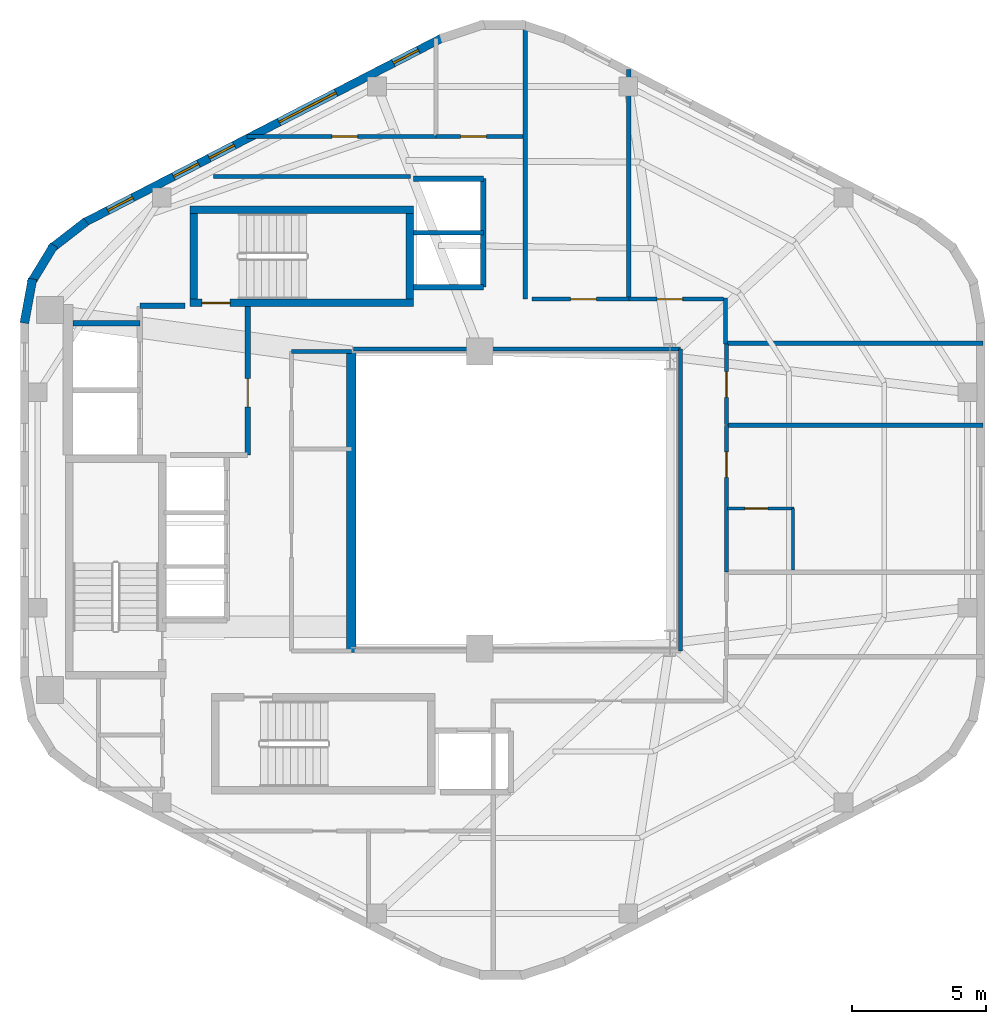
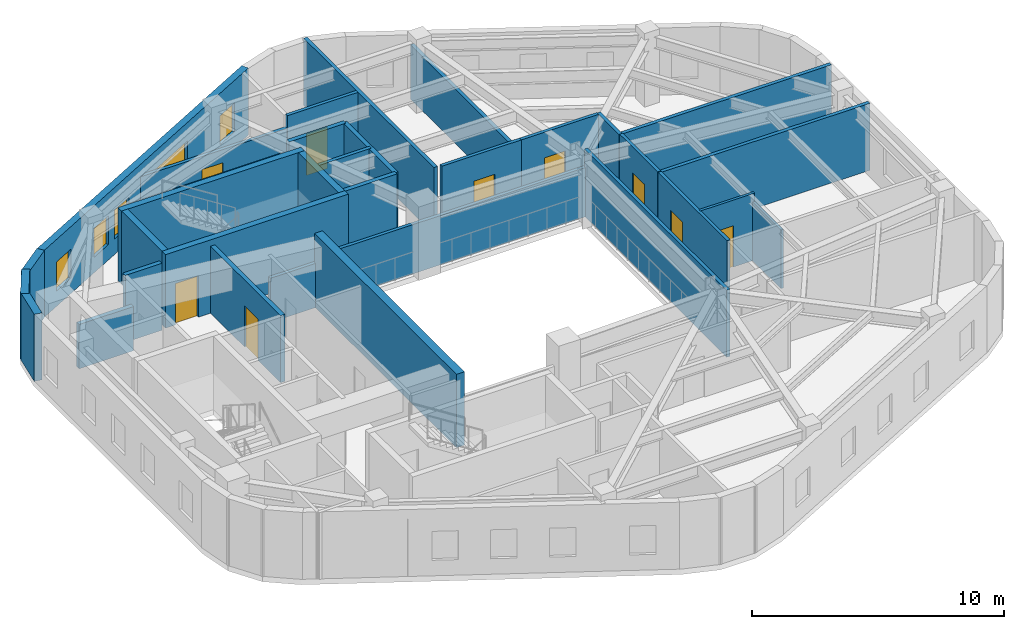
# One storey, part 4 of 6: 33 walls, 9 doors, 5 windows, 14 openings.
"""IFC4 building model written with IfcOpenShell, lengths in metres."""

from ifc_helpers import new_model, si_unit, direction, frame, frame_2d, origin, place, context, subcontext, project, spatial, rectangle, extrude, material, layer, layer_set, type_object, element, fill, save


model = new_model("IFC4")

# Units and contexts
model_context = context("Model", 3, precision=1e-05, world=origin(), true_north=direction((0.0, 1.0)))
body_context = subcontext(model_context, "Body", "Model", "MODEL_VIEW")
ifc_project = project(units=[si_unit("LENGTHUNIT", "METRE"), si_unit("AREAUNIT", "SQUARE_METRE"), si_unit("VOLUMEUNIT", "CUBIC_METRE"), si_unit("PLANEANGLEUNIT", "RADIAN"), si_unit("MASSUNIT", "GRAM", prefix="KILO"), si_unit("THERMODYNAMICTEMPERATUREUNIT", "KELVIN"), si_unit("POWERUNIT", "WATT")], contexts=[model_context])

# Site, building, storey
site_placement = place(None, origin())
site = spatial("IfcSite", under=ifc_project, at=site_placement, CompositionType="ELEMENT")
building_placement = place(site_placement, origin())
building = spatial("IfcBuilding", under=site, at=building_placement, Name="Skarre Station Tower", CompositionType="ELEMENT")
storey_placement = place(building_placement, frame((0.0, 0.0, 266.75)))
storey = spatial("IfcBuildingStorey", under=building, at=storey_placement, Name="L73", CompositionType="ELEMENT", Elevation=266.75)

# Walls
ifc_material_1 = material(Name="Acoustic Steel-Stud Gypsum Partition", Category="steel")
ifc_layer_1 = layer(ifc_material_1, 0.14990234375, Name="Acoustic Steel-Stud Gypsum Partition")
ifc_layer_set_1 = layer_set([ifc_layer_1], Name="Acoustic Steel-Stud Gypsum Partition")
wall_type_1 = type_object("IfcWallType", Name="Fire-Rated Corridor Acoustic Partition 150", PredefinedType="PARTITIONING", material=ifc_layer_set_1)
wall_1_placement = place(storey_placement, frame((27.550048828125, 29.550048828125, 0.0), z_axis=(0.0, 0.0, 1.0), x_axis=(-1.0, 0.0, 0.0)))
element("IfcWall", 1, at=wall_1_placement, inside=storey, type_object=wall_type_1, Name="L73 Interior Partition WL-PT-L73-RC2-N", PredefinedType="PARTITIONING", context=body_context, shape_type="SweptSolid", body=[
    extrude(rectangle(XDim=2.22998046875, YDim=0.14990234375, at=frame_2d((1.114990234375, 0.0))), origin(), (0.0, 0.0, 1.0), 2.139892578125),
])
wall_2_placement = place(storey_placement, frame((39.840087890625, 29.639892578125, 0.0), z_axis=(0.0, 0.0, 1.0), x_axis=(-1.0, 0.0, 0.0)))
element("IfcWall", 2, at=wall_2_placement, inside=storey, type_object=wall_type_1, Name="L73 Interior Partition WL-PT-L73-ATRW-N", PredefinedType="PARTITIONING", context=body_context, shape_type="SweptSolid", body=[
    extrude(rectangle(XDim=12.203125, YDim=0.14990234375, at=frame_2d((6.1015625, 0.0))), origin(), (0.0, 0.0, 1.0), 2.381103515625),
])
wall_3_placement = place(storey_placement, frame((39.840087890625, 18.360107421875, 0.0), z_axis=(0.0, 0.0, 1.0), x_axis=(0.0, 1.0, 0.0)))
element("IfcWall", 3, at=wall_3_placement, inside=storey, type_object=wall_type_1, Name="L73 Interior Partition WL-PT-L73-ATRW-E", PredefinedType="PARTITIONING", context=body_context, shape_type="SweptSolid", body=[
    extrude(rectangle(XDim=11.27978515625, YDim=0.14990234375, at=frame_2d((5.639892578125, 0.0))), origin(), (0.0, 0.0, 1.0), 3.239990234375),
])

# Wall, opening, door
wall_4_placement = place(storey_placement, frame((30.7080078125, 37.580078125, 0.0), z_axis=(0.0, 0.0, 1.0), x_axis=(-1.0, 0.0, 0.0)))
wall_4 = element("IfcWall", 4, at=wall_4_placement, inside=storey, type_object=wall_type_1, Name="L73 Interior Partition WL-PT-L73-NWW1-CW", PredefinedType="PARTITIONING", context=body_context, shape_type="SweptSolid", body=[
    extrude(rectangle(XDim=7.0458984375, YDim=0.14990234375, at=frame_2d((3.52294921875, 0.0))), origin(), (0.0, 0.0, 1.0), 2.632080078125),
])
opening_1_placement = place(wall_4_placement, frame((2.925048828125, 0.0, 0.0)))
opening_1 = element("IfcOpeningElement", 5, at=opening_1_placement, cuts=wall_4, Name="Opening DR-FD60", PredefinedType="OPENING", context=body_context, shape_type="SweptSolid", body=[
    extrude(rectangle(XDim=0.9599609375, YDim=2.0, at=frame_2d((0.47998046875, 1.0))), frame((0.0, 0.0849609375, 0.0), z_axis=(0.0, -1.0, 0.0), x_axis=(1.0, 0.0, 0.0)), (0.0, 0.0, 1.0), 0.169921875),
])
ifc_material_2 = material(Name="Nordic White-Oak Veneer Solid-Core Fire Leaf", Category="wood")
door_type_1 = type_object("IfcDoorType", Name="Corridor Suite Entry Fire Door FD60 960x2150", OperationType="SINGLE_SWING_LEFT", PredefinedType="DOOR", material=ifc_material_2)
door_1_placement = place(opening_1_placement, origin())
door_1 = element("IfcDoor", 6, at=door_1_placement, inside=storey, type_object=door_type_1, Name="L73 NWW1 Entry Door", OperationType="SINGLE_SWING_LEFT", OverallHeight=2.0, OverallWidth=0.9599609375, PredefinedType="DOOR", context=body_context, shape_type="SweptSolid", body=[
    extrude(rectangle(XDim=0.9599609375, YDim=2.0, at=frame_2d((0.47998046875, 1.0))), frame((0.0, 0.02490234375, 0.0), z_axis=(0.0, -1.0, 0.0), x_axis=(1.0, 0.0, 0.0)), (0.0, 0.0, 1.0), 0.050048828125),
])
fill(opening_1, door_1)

wall_5_placement = place(storey_placement, frame((33.9619140625, 37.580078125, 0.0), z_axis=(0.0, 0.0, 1.0), x_axis=(-1.0, 0.0, 0.0)))
wall_5 = element("IfcWall", 7, at=wall_5_placement, inside=storey, type_object=wall_type_1, Name="L73 Interior Partition WL-PT-L73-NWW2-CW", PredefinedType="PARTITIONING", context=body_context, shape_type="SweptSolid", body=[
    extrude(rectangle(XDim=3.243896484375, YDim=0.14990234375, at=frame_2d((1.6220703125, 0.0))), origin(), (0.0, 0.0, 1.0), 3.239990234375),
])
opening_2_placement = place(wall_5_placement, frame((1.366943359375, 0.0, 0.0)))
opening_2 = element("IfcOpeningElement", 8, at=opening_2_placement, cuts=wall_5, Name="Opening DR-FD60", PredefinedType="OPENING", context=body_context, shape_type="SweptSolid", body=[
    extrude(rectangle(XDim=0.9599609375, YDim=2.0, at=frame_2d((0.47998046875, 1.0))), frame((0.0, 0.0849609375, 0.0), z_axis=(0.0, -1.0, 0.0), x_axis=(1.0, 0.0, 0.0)), (0.0, 0.0, 1.0), 0.169921875),
])
door_2_placement = place(opening_2_placement, origin())
door_2 = element("IfcDoor", 9, at=door_2_placement, inside=storey, type_object=door_type_1, Name="L73 NWW2 Entry Door", OperationType="SINGLE_SWING_LEFT", OverallHeight=2.0, OverallWidth=0.9599609375, PredefinedType="DOOR", context=body_context, shape_type="SweptSolid", body=[
    extrude(rectangle(XDim=0.9599609375, YDim=2.0, at=frame_2d((0.47998046875, 1.0))), frame((0.0, 0.02490234375, 0.0), z_axis=(0.0, -1.0, 0.0), x_axis=(1.0, 0.0, 0.0)), (0.0, 0.0, 1.0), 0.050048828125),
])
fill(opening_2, door_2)

# Wall
wall_6_placement = place(storey_placement, frame((41.52001953125, 29.820068359375, 0.0), z_axis=(0.0, 0.0, 1.0), x_axis=(0.0, 1.0, 0.0)))
element("IfcWall", 10, at=wall_6_placement, inside=storey, type_object=wall_type_1, Name="L73 Interior Partition WL-PT-L73-CORR-NER", PredefinedType="PARTITIONING", context=body_context, shape_type="SweptSolid", body=[
    extrude(rectangle(XDim=1.719970703125, YDim=0.14990234375, at=frame_2d((0.85986328125, 0.0))), origin(), (0.0, 0.0, 1.0), 3.239990234375),
])

# Wall, opening, door
wall_7_placement = place(storey_placement, frame((37.912109375, 31.5, 0.0), z_axis=(0.0, 0.0, 1.0), x_axis=(-1.0, 0.0, 0.0)))
wall_7 = element("IfcWall", 11, at=wall_7_placement, inside=storey, type_object=wall_type_1, Name="L73 Interior Partition WL-PT-L73-NW1-CW", PredefinedType="PARTITIONING", context=body_context, shape_type="SweptSolid", body=[
    extrude(rectangle(XDim=3.6220703125, YDim=0.14990234375, at=frame_2d((1.81103515625, 0.0))), origin(), (0.0, 0.0, 1.0), 3.239990234375),
])
opening_3_placement = place(wall_7_placement, frame((1.2119140625, 0.0, 0.0)))
opening_3 = element("IfcOpeningElement", 12, at=opening_3_placement, cuts=wall_7, Name="Opening DR-FD60", PredefinedType="OPENING", context=body_context, shape_type="SweptSolid", body=[
    extrude(rectangle(XDim=0.9599609375, YDim=2.0, at=frame_2d((0.47998046875, 1.0))), frame((0.0, 0.0849609375, 0.0), z_axis=(0.0, -1.0, 0.0), x_axis=(1.0, 0.0, 0.0)), (0.0, 0.0, 1.0), 0.169921875),
])
door_3_placement = place(opening_3_placement, origin())
door_3 = element("IfcDoor", 13, at=door_3_placement, inside=storey, type_object=door_type_1, Name="L73 NW1 Entry Door", OperationType="SINGLE_SWING_LEFT", OverallHeight=2.0, OverallWidth=0.9599609375, PredefinedType="DOOR", context=body_context, shape_type="SweptSolid", body=[
    extrude(rectangle(XDim=0.9599609375, YDim=2.0, at=frame_2d((0.47998046875, 1.0))), frame((0.0, 0.02490234375, 0.0), z_axis=(0.0, -1.0, 0.0), x_axis=(1.0, 0.0, 0.0)), (0.0, 0.0, 1.0), 0.050048828125),
])
fill(opening_3, door_3)

wall_8_placement = place(storey_placement, frame((41.449951171875, 31.5, 0.0), z_axis=(0.0, 0.0, 1.0), x_axis=(-1.0, 0.0, 0.0)))
wall_8 = element("IfcWall", 14, at=wall_8_placement, inside=storey, type_object=wall_type_1, Name="L73 Interior Partition WL-PT-L73-NW2-CW", PredefinedType="PARTITIONING", context=body_context, shape_type="SweptSolid", body=[
    extrude(rectangle(XDim=3.52783203125, YDim=0.14990234375, at=frame_2d((1.763916015625, 0.0))), origin(), (0.0, 0.0, 1.0), 3.239990234375),
])
opening_4_placement = place(wall_8_placement, frame((1.52392578125, 0.0, 0.0)))
opening_4 = element("IfcOpeningElement", 15, at=opening_4_placement, cuts=wall_8, Name="Opening DR-FD60", PredefinedType="OPENING", context=body_context, shape_type="SweptSolid", body=[
    extrude(rectangle(XDim=0.9599609375, YDim=2.0, at=frame_2d((0.47998046875, 1.0))), frame((0.0, 0.0849609375, 0.0), z_axis=(0.0, -1.0, 0.0), x_axis=(1.0, 0.0, 0.0)), (0.0, 0.0, 1.0), 0.169921875),
])
door_4_placement = place(opening_4_placement, origin())
door_4 = element("IfcDoor", 16, at=door_4_placement, inside=storey, type_object=door_type_1, Name="L73 NW2 Entry Door", OperationType="SINGLE_SWING_LEFT", OverallHeight=2.0, OverallWidth=0.9599609375, PredefinedType="DOOR", context=body_context, shape_type="SweptSolid", body=[
    extrude(rectangle(XDim=0.9599609375, YDim=2.0, at=frame_2d((0.47998046875, 1.0))), frame((0.0, 0.02490234375, 0.0), z_axis=(0.0, -1.0, 0.0), x_axis=(1.0, 0.0, 0.0)), (0.0, 0.0, 1.0), 0.050048828125),
])
fill(opening_4, door_4)

wall_9_placement = place(storey_placement, frame((41.56005859375, 21.318115234375, 0.0), z_axis=(0.0, 0.0, 1.0), x_axis=(0.0, 1.0, 0.0)))
wall_9 = element("IfcWall", 17, at=wall_9_placement, inside=storey, type_object=wall_type_1, Name="L73 Interior Partition WL-PT-L73-EW2-CW", PredefinedType="PARTITIONING", context=body_context, shape_type="SweptSolid", body=[
    extrude(rectangle(XDim=5.457763671875, YDim=0.14990234375, at=frame_2d((2.72900390625, 0.0))), origin(), (0.0, 0.0, 1.0), 3.239990234375),
])
opening_5_placement = place(wall_9_placement, frame((3.52392578125, 0.0, 0.0)))
opening_5 = element("IfcOpeningElement", 18, at=opening_5_placement, cuts=wall_9, Name="Opening DR-FD60", PredefinedType="OPENING", context=body_context, shape_type="SweptSolid", body=[
    extrude(rectangle(XDim=0.9599609375, YDim=2.0, at=frame_2d((0.47998046875, 1.0))), frame((0.0, 0.0849609375, 0.0), z_axis=(0.0, -1.0, 0.0), x_axis=(1.0, 0.0, 0.0)), (0.0, 0.0, 1.0), 0.169921875),
])
door_5_placement = place(opening_5_placement, origin())
door_5 = element("IfcDoor", 19, at=door_5_placement, inside=storey, type_object=door_type_1, Name="L73 EW2 Entry Door", OperationType="SINGLE_SWING_LEFT", OverallHeight=2.0, OverallWidth=0.9599609375, PredefinedType="DOOR", context=body_context, shape_type="SweptSolid", body=[
    extrude(rectangle(XDim=0.9599609375, YDim=2.0, at=frame_2d((0.47998046875, 1.0))), frame((0.0, 0.02490234375, 0.0), z_axis=(0.0, -1.0, 0.0), x_axis=(1.0, 0.0, 0.0)), (0.0, 0.0, 1.0), 0.050048828125),
])
fill(opening_5, door_5)

wall_10_placement = place(storey_placement, frame((41.56005859375, 26.81201171875, 0.0), z_axis=(0.0, 0.0, 1.0), x_axis=(0.0, 1.0, 0.0)))
wall_10 = element("IfcWall", 20, at=wall_10_placement, inside=storey, type_object=wall_type_1, Name="L73 Interior Partition WL-PT-L73-EW3-CW", PredefinedType="PARTITIONING", context=body_context, shape_type="SweptSolid", body=[
    extrude(rectangle(XDim=3.008056640625, YDim=0.14990234375, at=frame_2d((1.50390625, 0.0))), origin(), (0.0, 0.0, 1.0), 3.239990234375),
])
opening_6_placement = place(wall_10_placement, frame((1.02392578125, 0.0, 0.0)))
opening_6 = element("IfcOpeningElement", 21, at=opening_6_placement, cuts=wall_10, Name="Opening DR-FD60", PredefinedType="OPENING", context=body_context, shape_type="SweptSolid", body=[
    extrude(rectangle(XDim=0.9599609375, YDim=2.0, at=frame_2d((0.47998046875, 1.0))), frame((0.0, 0.0849609375, 0.0), z_axis=(0.0, -1.0, 0.0), x_axis=(1.0, 0.0, 0.0)), (0.0, 0.0, 1.0), 0.169921875),
])
door_6_placement = place(opening_6_placement, origin())
door_6 = element("IfcDoor", 22, at=door_6_placement, inside=storey, type_object=door_type_1, Name="L73 EW3 Entry Door", OperationType="SINGLE_SWING_LEFT", OverallHeight=2.0, OverallWidth=0.9599609375, PredefinedType="DOOR", context=body_context, shape_type="SweptSolid", body=[
    extrude(rectangle(XDim=0.9599609375, YDim=2.0, at=frame_2d((0.47998046875, 1.0))), frame((0.0, 0.02490234375, 0.0), z_axis=(0.0, -1.0, 0.0), x_axis=(1.0, 0.0, 0.0)), (0.0, 0.0, 1.0), 0.050048828125),
])
fill(opening_6, door_6)

# Wall
wall_11_placement = place(storey_placement, frame((29.7529296875, 36.080078125, 0.0), z_axis=(0.0, 0.0, 1.0), x_axis=(-1.0, 0.0, 0.0)))
element("IfcWall", 23, at=wall_11_placement, inside=storey, type_object=wall_type_1, Name="L73 Interior Partition WL-PT-L73-CSEAL-1", PredefinedType="PARTITIONING", context=body_context, shape_type="SweptSolid", body=[
    extrude(rectangle(XDim=7.35302734375, YDim=0.14990234375, at=frame_2d((3.676513671875, 0.0))), origin(), (0.0, 0.0, 1.0), 2.632080078125),
])

# Wall, opening, door
ifc_material_3 = material(Name="Insulated Timber-Stud Gypsum Partition", Category="wood")
ifc_layer_2 = layer(ifc_material_3, 0.1201171875, Name="Insulated Timber-Stud Gypsum Partition")
ifc_layer_set_2 = layer_set([ifc_layer_2], Name="Insulated Timber-Stud Gypsum Partition")
wall_type_2 = type_object("IfcWallType", Name="Internal Suite Acoustic Partition 120", PredefinedType="PARTITIONING", material=ifc_layer_set_2)
wall_12_placement = place(storey_placement, frame((41.60009765625, 23.68505859375, 0.0), z_axis=(0.0, 0.0, 1.0), x_axis=(1.0, 0.0, 0.0)))
wall_12 = element("IfcWall", 24, at=wall_12_placement, inside=storey, type_object=wall_type_2, Name="L73 Interior Partition WL-PT-L73-EW2-SA1", PredefinedType="PARTITIONING", context=body_context, shape_type="SweptSolid", body=[
    extrude(rectangle(XDim=2.47998046875, YDim=0.1201171875, at=frame_2d((1.239990234375, 0.0))), origin(), (0.0, 0.0, 1.0), 3.239990234375),
])
opening_7_placement = place(wall_12_placement, frame((0.64990234375, 0.0, 0.0)))
opening_7 = element("IfcOpeningElement", 25, at=opening_7_placement, cuts=wall_12, Name="Opening DR-INT86", PredefinedType="OPENING", context=body_context, shape_type="SweptSolid", body=[
    extrude(rectangle(XDim=0.860107421875, YDim=2.0, at=frame_2d((0.43017578125, 1.0))), frame((0.0, 0.070068359375, 0.0), z_axis=(0.0, -1.0, 0.0), x_axis=(1.0, 0.0, 0.0)), (0.0, 0.0, 1.0), 0.14013671875),
])
ifc_material_4 = material(Name="Nordic Birch Acoustic Solid-Core Timber Leaf", Category="wood")
door_type_2 = type_object("IfcDoorType", Name="Internal En-Suite & Bedroom Door 860x2100", OperationType="SINGLE_SWING_LEFT", PredefinedType="DOOR", material=ifc_material_4)
door_7_placement = place(opening_7_placement, origin())
door_7 = element("IfcDoor", 26, at=door_7_placement, inside=storey, type_object=door_type_2, Name="L73 EW2 Alcove Store Door", OperationType="SINGLE_SWING_LEFT", OverallHeight=2.0, OverallWidth=0.860107421875, PredefinedType="DOOR", context=body_context, shape_type="SweptSolid", body=[
    extrude(rectangle(XDim=0.860107421875, YDim=2.0, at=frame_2d((0.43017578125, 1.0))), frame((0.0, 0.02490234375, 0.0), z_axis=(0.0, -1.0, 0.0), x_axis=(1.0, 0.0, 0.0)), (0.0, 0.0, 1.0), 0.050048828125),
])
fill(opening_7, door_7)

# Walls
wall_13_placement = place(storey_placement, frame((44.050048828125, 21.385009765625, 0.0), z_axis=(0.0, 0.0, 1.0), x_axis=(0.0, 1.0, 0.0)))
element("IfcWall", 27, at=wall_13_placement, inside=storey, type_object=wall_type_2, Name="L73 Interior Partition WL-PT-L73-EW2-SA2", PredefinedType="PARTITIONING", context=body_context, shape_type="SweptSolid", body=[
    extrude(rectangle(XDim=2.300048828125, YDim=0.1201171875, at=frame_2d((1.14990234375, 0.0))), origin(), (0.0, 0.0, 1.0), 2.8369140625),
])
ifc_material_5 = material(Name="Precast concrete C45/55", Category="concrete")
ifc_layer_3 = layer(ifc_material_5, 0.330078125, Name="Precast concrete C45/55")
ifc_layer_set_3 = layer_set([ifc_layer_3], Name="Precast concrete C45/55")
wall_type_3 = type_object("IfcWallType", Name="Nordic Rounded Corner Precast Wall 330", PredefinedType="STANDARD", material=ifc_layer_set_3)
wall_14_placement = place(storey_placement, frame((15.337890625, 30.60791015625, 0.0), z_axis=(0.0, 0.0, 1.0), x_axis=(0.180832605401, 0.983513888475, 0.0)))
element("IfcWall", 28, at=wall_14_placement, inside=storey, type_object=wall_type_3, Name="L73 Rounded Corner Precast Wall F2-1", PredefinedType="STANDARD", context=body_context, shape_type="SweptSolid", body=[
    extrude(rectangle(XDim=1.6767578125, YDim=0.330078125, at=frame_2d((0.83837890625, 0.0))), origin(), (0.0, 0.0, 1.0), 3.239990234375),
])
wall_15_placement = place(storey_placement, frame((15.573974609375, 32.08203125, 0.0), z_axis=(0.0, 0.0, 1.0), x_axis=(0.520325409202, 0.853968072318, 0.0)))
element("IfcWall", 29, at=wall_15_placement, inside=storey, type_object=wall_type_3, Name="L73 Rounded Corner Precast Wall F2-2", PredefinedType="STANDARD", context=body_context, shape_type="SweptSolid", body=[
    extrude(rectangle(XDim=1.677978515625, YDim=0.330078125, at=frame_2d((0.8388671875, 0.0))), origin(), (0.0, 0.0, 1.0), 3.239990234375),
])
wall_16_placement = place(storey_placement, frame((16.322021484375, 33.375, 0.0), z_axis=(0.0, 0.0, 1.0), x_axis=(0.790691856293, 0.61221433207, 0.0)))
element("IfcWall", 30, at=wall_16_placement, inside=storey, type_object=wall_type_3, Name="L73 Rounded Corner Precast Wall F2-3", PredefinedType="STANDARD", context=body_context, shape_type="SweptSolid", body=[
    extrude(rectangle(XDim=1.67578125, YDim=0.330078125, at=frame_2d((0.837890625, 0.0))), origin(), (0.0, 0.0, 1.0), 3.239990234375),
])

# Wall, openings, windows
ifc_layer_4 = layer(ifc_material_5, 0.31005859375, Name="Precast concrete C45/55")
ifc_layer_set_4 = layer_set([ifc_layer_4], Name="Precast concrete C45/55")
wall_type_4 = type_object("IfcWallType", Name="Nordic Upper-Zone Precast Facet Wall 310", PredefinedType="STANDARD", material=ifc_layer_set_4)
wall_17_placement = place(storey_placement, frame((17.56591796875, 34.35400390625, 0.0), z_axis=(0.0, 0.0, 1.0), x_axis=(0.888581481622, 0.458718814218, 0.0)))
wall_17 = element("IfcWall", 31, at=wall_17_placement, inside=storey, type_object=wall_type_4, Name="L73 Facet 1 Nordic Precast Masonry Wall", PredefinedType="STANDARD", context=body_context, shape_type="SweptSolid", body=[
    extrude(rectangle(XDim=15.076904296875, YDim=0.31005859375, at=frame_2d((7.53857421875, 0.0))), origin(), (0.0, 0.0, 1.0), 3.239990234375),
])
opening_8_placement = place(wall_17_placement, frame((0.998046875, 0.0, 0.75)))
opening_8 = element("IfcOpeningElement", 32, at=opening_8_placement, cuts=wall_17, Name="Opening WN-SLT", PredefinedType="OPENING", context=body_context, shape_type="SweptSolid", body=[
    extrude(rectangle(XDim=1.050048828125, YDim=1.39990234375, at=frame_2d((0.52490234375, 0.699951171875))), frame((0.0, 0.1650390625, 0.0), z_axis=(0.0, -1.0, 0.0), x_axis=(1.0, 0.0, 0.0)), (0.0, 0.0, 1.0), 0.330078125),
])
opening_9_placement = place(wall_17_placement, frame((3.762939453125, 0.0, 0.75)))
opening_9 = element("IfcOpeningElement", 33, at=opening_9_placement, cuts=wall_17, Name="Opening WN-SLT", PredefinedType="OPENING", context=body_context, shape_type="SweptSolid", body=[
    extrude(rectangle(XDim=1.050048828125, YDim=1.39990234375, at=frame_2d((0.52490234375, 0.699951171875))), frame((0.0, 0.1650390625, 0.0), z_axis=(0.0, -1.0, 0.0), x_axis=(1.0, 0.0, 0.0)), (0.0, 0.0, 1.0), 0.330078125),
])
opening_10_placement = place(wall_17_placement, frame((5.264892578125, 0.0, 0.75)))
opening_10 = element("IfcOpeningElement", 34, at=opening_10_placement, cuts=wall_17, Name="Opening WN-SLT", PredefinedType="OPENING", context=body_context, shape_type="SweptSolid", body=[
    extrude(rectangle(XDim=1.050048828125, YDim=1.39990234375, at=frame_2d((0.52490234375, 0.699951171875))), frame((0.0, 0.1650390625, 0.0), z_axis=(0.0, -1.0, 0.0), x_axis=(1.0, 0.0, 0.0)), (0.0, 0.0, 1.0), 0.330078125),
])
opening_11_placement = place(wall_17_placement, frame((8.197021484375, 0.0, 0.75)))
opening_11 = element("IfcOpeningElement", 35, at=opening_11_placement, cuts=wall_17, Name="Opening WN-Z4A", PredefinedType="OPENING", context=body_context, shape_type="SweptSolid", body=[
    extrude(rectangle(XDim=2.39990234375, YDim=1.60009765625, at=frame_2d((1.199951171875, 0.800048828125))), frame((0.0, 0.1650390625, 0.0), z_axis=(0.0, -1.0, 0.0), x_axis=(1.0, 0.0, 0.0)), (0.0, 0.0, 1.0), 0.330078125),
])
opening_12_placement = place(wall_17_placement, frame((13.00390625, 0.0, 0.75)))
opening_12 = element("IfcOpeningElement", 36, at=opening_12_placement, cuts=wall_17, Name="Opening WN-SLT", PredefinedType="OPENING", context=body_context, shape_type="SweptSolid", body=[
    extrude(rectangle(XDim=1.050048828125, YDim=1.39990234375, at=frame_2d((0.52490234375, 0.699951171875))), frame((0.0, 0.1650390625, 0.0), z_axis=(0.0, -1.0, 0.0), x_axis=(1.0, 0.0, 0.0)), (0.0, 0.0, 1.0), 0.330078125),
])
ifc_material_6 = material(Name="Low-Iron Triple Glazing with Bronze Anodized Frame", Category="glass")
window_type_1 = type_object("IfcWindowType", Name="Nordic Corner Slot Window 1050x1400", PartitioningType="SINGLE_PANEL", PredefinedType="WINDOW", material=ifc_material_6)
window_1_placement = place(opening_8_placement, origin())
window_1 = element("IfcWindow", 37, at=window_1_placement, inside=storey, type_object=window_type_1, Name="L73 Facade Window WL-FAC-L73-F1-1", OverallHeight=1.39990234375, OverallWidth=1.050048828125, PartitioningType="SINGLE_PANEL", PredefinedType="WINDOW", context=body_context, shape_type="SweptSolid", body=[
    extrude(rectangle(XDim=1.050048828125, YDim=1.39990234375, at=frame_2d((0.52490234375, 0.699951171875))), frame((0.0, 0.030029296875, 0.0), z_axis=(0.0, -1.0, 0.0), x_axis=(1.0, 0.0, 0.0)), (0.0, 0.0, 1.0), 0.06005859375),
])
fill(opening_8, window_1)
window_2_placement = place(opening_9_placement, origin())
window_2 = element("IfcWindow", 38, at=window_2_placement, inside=storey, type_object=window_type_1, Name="L73 Facade Window WL-FAC-L73-F1-2", OverallHeight=1.39990234375, OverallWidth=1.050048828125, PartitioningType="SINGLE_PANEL", PredefinedType="WINDOW", context=body_context, shape_type="SweptSolid", body=[
    extrude(rectangle(XDim=1.050048828125, YDim=1.39990234375, at=frame_2d((0.52490234375, 0.699951171875))), frame((0.0, 0.030029296875, 0.0), z_axis=(0.0, -1.0, 0.0), x_axis=(1.0, 0.0, 0.0)), (0.0, 0.0, 1.0), 0.06005859375),
])
fill(opening_9, window_2)
window_3_placement = place(opening_10_placement, origin())
window_3 = element("IfcWindow", 39, at=window_3_placement, inside=storey, type_object=window_type_1, Name="L73 Facade Window WL-FAC-L73-F1-3", OverallHeight=1.39990234375, OverallWidth=1.050048828125, PartitioningType="SINGLE_PANEL", PredefinedType="WINDOW", context=body_context, shape_type="SweptSolid", body=[
    extrude(rectangle(XDim=1.050048828125, YDim=1.39990234375, at=frame_2d((0.52490234375, 0.699951171875))), frame((0.0, 0.030029296875, 0.0), z_axis=(0.0, -1.0, 0.0), x_axis=(1.0, 0.0, 0.0)), (0.0, 0.0, 1.0), 0.06005859375),
])
fill(opening_10, window_3)
window_4_placement = place(opening_12_placement, origin())
window_4 = element("IfcWindow", 40, at=window_4_placement, inside=storey, type_object=window_type_1, Name="L73 Facade Window WL-FAC-L73-F1-5", OverallHeight=1.39990234375, OverallWidth=1.050048828125, PartitioningType="SINGLE_PANEL", PredefinedType="WINDOW", context=body_context, shape_type="SweptSolid", body=[
    extrude(rectangle(XDim=1.050048828125, YDim=1.39990234375, at=frame_2d((0.52490234375, 0.699951171875))), frame((0.0, 0.030029296875, 0.0), z_axis=(0.0, -1.0, 0.0), x_axis=(1.0, 0.0, 0.0)), (0.0, 0.0, 1.0), 0.06005859375),
])
fill(opening_12, window_4)
window_type_2 = type_object("IfcWindowType", Name="Nordic Crown Panorama Window 2400x1600", PartitioningType="SINGLE_PANEL", PredefinedType="WINDOW", material=ifc_material_6)
window_5_placement = place(opening_11_placement, origin())
window_5 = element("IfcWindow", 41, at=window_5_placement, inside=storey, type_object=window_type_2, Name="L73 Facade Window WL-FAC-L73-F1-4", OverallHeight=1.60009765625, OverallWidth=2.39990234375, PartitioningType="SINGLE_PANEL", PredefinedType="WINDOW", context=body_context, shape_type="SweptSolid", body=[
    extrude(rectangle(XDim=2.39990234375, YDim=1.60009765625, at=frame_2d((1.199951171875, 0.800048828125))), frame((0.0, 0.030029296875, 0.0), z_axis=(0.0, -1.0, 0.0), x_axis=(1.0, 0.0, 0.0)), (0.0, 0.0, 1.0), 0.06005859375),
])
fill(opening_11, window_5)

# Wall, opening, door
ifc_material_7 = material(Name="Concrete C50/60", Category="concrete")
ifc_layer_5 = layer(ifc_material_7, 0.280029296875, Name="Concrete C50/60")
ifc_layer_set_5 = layer_set([ifc_layer_5], Name="Concrete C50/60")
wall_type_5 = type_object("IfcWallType", Name="RC Core Shear Wall 280", PredefinedType="SHEAR", material=ifc_layer_set_5)
wall_18_placement = place(storey_placement, frame((21.52001953125, 31.360107421875, 0.0), z_axis=(0.0, 0.0, 1.0), x_axis=(1.0, 0.0, 0.0)))
wall_18 = element("IfcWall", 42, at=wall_18_placement, inside=storey, type_object=wall_type_5, Name="L73 Stair ST-3 South Shear Wall", PredefinedType="SHEAR", context=body_context, shape_type="SweptSolid", body=[
    extrude(rectangle(XDim=8.35986328125, YDim=0.280029296875, at=frame_2d((4.179931640625, 0.0))), origin(), (0.0, 0.0, 1.0), 3.550048828125),
])
opening_13_placement = place(wall_18_placement, frame((0.449951171875, 0.0, 0.0)))
opening_13 = element("IfcOpeningElement", 43, at=opening_13_placement, cuts=wall_18, Name="Opening DR-FD90", PredefinedType="OPENING", context=body_context, shape_type="SweptSolid", body=[
    extrude(rectangle(XDim=1.050048828125, YDim=2.0, at=frame_2d((0.52490234375, 1.0))), frame((0.0, 0.14990234375, 0.0), z_axis=(0.0, -1.0, 0.0), x_axis=(1.0, 0.0, 0.0)), (0.0, 0.0, 1.0), 0.300048828125),
])
ifc_material_8 = material(Name="Fire-Rated Insulated Steel Frame & Timber Core Leaf", Category="steel")
door_type_3 = type_object("IfcDoorType", Name="Stair & FSAE Lobby Fire Door FD90 1050x2150", OperationType="SINGLE_SWING_RIGHT", PredefinedType="DOOR", material=ifc_material_8)
door_8_placement = place(opening_13_placement, origin())
door_8 = element("IfcDoor", 44, at=door_8_placement, inside=storey, type_object=door_type_3, Name="L73 Stair ST-3 & FSAE Lobby Direct Exit Door", OperationType="SINGLE_SWING_LEFT", OverallHeight=2.0, OverallWidth=1.050048828125, PredefinedType="DOOR", context=body_context, shape_type="SweptSolid", body=[
    extrude(rectangle(XDim=1.050048828125, YDim=2.0, at=frame_2d((0.52490234375, 1.0))), frame((0.0, 0.02490234375, 0.0), z_axis=(0.0, -1.0, 0.0), x_axis=(1.0, 0.0, 0.0)), (0.0, 0.0, 1.0), 0.050048828125),
])
fill(opening_13, door_8)

# Walls
wall_19_placement = place(storey_placement, frame((29.8798828125, 34.840087890625, 0.0), z_axis=(0.0, 0.0, 1.0), x_axis=(-1.0, 0.0, 0.0)))
element("IfcWall", 45, at=wall_19_placement, inside=storey, type_object=wall_type_5, Name="L73 Stair ST-3 North Shear Wall", PredefinedType="SHEAR", context=body_context, shape_type="SweptSolid", body=[
    extrude(rectangle(XDim=8.35986328125, YDim=0.280029296875, at=frame_2d((4.179931640625, 0.0))), origin(), (0.0, 0.0, 1.0), 3.550048828125),
])
for number, where, z_axis, x_axis, name in (
    (46, (21.659912109375, 34.699951171875, 0.0), (0.0, 0.0, 1.0), (0.0, -1.0, 0.0), "L73 Stair ST-3 West Shear Wall"),
    (47, (29.739990234375, 31.5, 0.0), (0.0, 0.0, 1.0), (0.0, 1.0, 0.0), "L73 Stair ST-3 East Shear Wall"),
):
    element("IfcWall", number, at=place(storey_placement, frame(where, z_axis=z_axis, x_axis=x_axis)), inside=storey, type_object=wall_type_5, Name=name, PredefinedType="SHEAR", context=body_context, shape_type="SweptSolid", body=[
        extrude(rectangle(XDim=3.199951171875, YDim=0.280029296875, at=frame_2d((1.60009765625, 0.0))), origin(), (0.0, 0.0, 1.0), 3.550048828125),
    ])
ifc_layer_6 = layer(ifc_material_7, 0.360107421875, Name="Concrete C50/60")
ifc_layer_set_6 = layer_set([ifc_layer_6], Name="Concrete C50/60")
wall_type_6 = type_object("IfcWallType", Name="RC Core Shear Wall 360", PredefinedType="SHEAR", material=ifc_layer_set_6)
wall_20_placement = place(storey_placement, frame((27.550048828125, 29.550048828125, 0.0), z_axis=(0.0, 0.0, 1.0), x_axis=(0.0, -1.0, 0.0)))
element("IfcWall", 48, at=wall_20_placement, inside=storey, type_object=wall_type_6, Name="L73 Core East Atrium Shear Wall", PredefinedType="SHEAR", context=body_context, shape_type="SweptSolid", body=[
    extrude(rectangle(XDim=11.25, YDim=0.360107421875, at=frame_2d((5.625, 0.0))), origin(), (0.0, 0.0, 1.0), 3.550048828125),
])

# Wall, opening, door
ifc_material_9 = material(Name="Gypsum Concrete Shaft Assembly C30/37", Category="concrete")
ifc_layer_7 = layer(ifc_material_9, 0.199951171875, Name="Gypsum Concrete Shaft Assembly C30/37")
ifc_layer_set_7 = layer_set([ifc_layer_7], Name="Gypsum Concrete Shaft Assembly C30/37")
wall_type_7 = type_object("IfcWallType", Name="Shaft & Core Fire Partition 200", PredefinedType="PARTITIONING", material=ifc_layer_set_7)
wall_21_placement = place(storey_placement, frame((23.679931640625, 25.679931640625, 0.0), z_axis=(0.0, 0.0, 1.0), x_axis=(0.0, 1.0, 0.0)))
wall_21 = element("IfcWall", 49, at=wall_21_placement, inside=storey, type_object=wall_type_7, Name="L73 Interior Partition WL-PT-L73-FSAE-E", PredefinedType="PARTITIONING", context=body_context, shape_type="SweptSolid", body=[
    extrude(rectangle(XDim=5.5400390625, YDim=0.199951171875, at=frame_2d((2.77001953125, 0.0))), origin(), (0.0, 0.0, 1.0), 3.239990234375),
])
opening_14_placement = place(wall_21_placement, frame((1.800048828125, 0.0, 0.0)))
opening_14 = element("IfcOpeningElement", 50, at=opening_14_placement, cuts=wall_21, Name="Opening DR-FD90", PredefinedType="OPENING", context=body_context, shape_type="SweptSolid", body=[
    extrude(rectangle(XDim=1.050048828125, YDim=2.0, at=frame_2d((0.52490234375, 1.0))), frame((0.0, 0.10986328125, 0.0), z_axis=(0.0, -1.0, 0.0), x_axis=(1.0, 0.0, 0.0)), (0.0, 0.0, 1.0), 0.219970703125),
])
door_9_placement = place(opening_14_placement, origin())
door_9 = element("IfcDoor", 51, at=door_9_placement, inside=storey, type_object=door_type_3, Name="L73 FSAE Lobby Fire Door", OperationType="SINGLE_SWING_RIGHT", OverallHeight=2.0, OverallWidth=1.050048828125, PredefinedType="DOOR", context=body_context, shape_type="SweptSolid", body=[
    extrude(rectangle(XDim=1.050048828125, YDim=2.0, at=frame_2d((0.52490234375, 1.0))), frame((0.0, 0.02490234375, 0.0), z_axis=(0.0, -1.0, 0.0), x_axis=(1.0, 0.0, 0.0)), (0.0, 0.0, 1.0), 0.050048828125),
])
fill(opening_14, door_9)

# Walls
wall_22_placement = place(storey_placement, frame((21.330078125, 31.260009765625, 0.0), z_axis=(0.0, 0.0, 1.0), x_axis=(-1.0, 0.0, 0.0)))
element("IfcWall", 52, at=wall_22_placement, inside=storey, type_object=wall_type_7, Name="L73 Interior Partition WL-PT-L73-FSAE-N", PredefinedType="PARTITIONING", context=body_context, shape_type="SweptSolid", body=[
    extrude(rectangle(XDim=1.68017578125, YDim=0.199951171875, at=frame_2d((0.840087890625, 0.0))), origin(), (0.0, 0.0, 1.0), 3.239990234375),
])
wall_23_placement = place(storey_placement, frame((19.64990234375, 30.60009765625, 0.0), z_axis=(0.0, 0.0, 1.0), x_axis=(-1.0, 0.0, 0.0)))
element("IfcWall", 53, at=wall_23_placement, inside=storey, type_object=wall_type_7, Name="L73 Interior Partition WL-PT-L73-FF-N", PredefinedType="PARTITIONING", context=body_context, shape_type="SweptSolid", body=[
    extrude(rectangle(XDim=2.5, YDim=0.199951171875, at=frame_2d((1.25, 0.0))), origin(), (0.0, 0.0, 1.0), 2.139892578125),
])
wall_24_placement = place(storey_placement, frame((32.47998046875, 31.949951171875, 0.0), z_axis=(0.0, 0.0, 1.0), x_axis=(0.0, 1.0, 0.0)))
element("IfcWall", 54, at=wall_24_placement, inside=storey, type_object=wall_type_7, Name="L73 Interior Partition WL-PT-L73-EX-E", PredefinedType="PARTITIONING", context=body_context, shape_type="SweptSolid", body=[
    extrude(rectangle(XDim=4.050048828125, YDim=0.199951171875, at=frame_2d((2.02490234375, 0.0))), origin(), (0.0, 0.0, 1.0), 3.239990234375),
])
for number, where, z_axis, x_axis, name in (
    (55, (29.8798828125, 36.0, 0.0), (0.0, 0.0, 1.0), (1.0, 0.0, 0.0), "L73 Interior Partition WL-PT-L73-EX-N"),
    (56, (32.47998046875, 31.949951171875, 0.0), (0.0, 0.0, 1.0), (-1.0, 0.0, 0.0), "L73 Interior Partition WL-PT-L73-EX-S"),
):
    element("IfcWall", number, at=place(storey_placement, frame(where, z_axis=z_axis, x_axis=x_axis)), inside=storey, type_object=wall_type_7, Name=name, PredefinedType="PARTITIONING", context=body_context, shape_type="SweptSolid", body=[
        extrude(rectangle(XDim=2.60009765625, YDim=0.199951171875, at=frame_2d((1.300048828125, 0.0))), origin(), (0.0, 0.0, 1.0), 3.239990234375),
    ])
wall_25_placement = place(storey_placement, frame((29.875, 33.97998046875, 0.0), z_axis=(0.0, 0.0, 1.0), x_axis=(1.0, 0.0, 0.0)))
element("IfcWall", 57, at=wall_25_placement, inside=storey, type_object=wall_type_7, Name="L73 Interior Partition WL-PT-L73-EX-DIV", PredefinedType="PARTITIONING", context=body_context, shape_type="SweptSolid", body=[
    extrude(rectangle(XDim=2.60498046875, YDim=0.159912109375, at=frame_2d((1.302490234375, 0.0))), origin(), (0.0, 0.0, 1.0), 3.239990234375),
])
ifc_layer_8 = layer(ifc_material_1, 0.1650390625, Name="Acoustic Steel-Stud Gypsum Partition")
ifc_layer_set_8 = layer_set([ifc_layer_8], Name="Acoustic Steel-Stud Gypsum Partition")
wall_type_8 = type_object("IfcWallType", Name="Suite Demising Acoustic Partition 165", PredefinedType="PARTITIONING", material=ifc_layer_set_8)
wall_26_placement = place(storey_placement, frame((34.0400390625, 31.5, 0.0), z_axis=(0.0, 0.0, 1.0), x_axis=(0.0, 1.0, 0.0)))
element("IfcWall", 58, at=wall_26_placement, inside=storey, type_object=wall_type_8, Name="L73 Interior Partition WL-PT-L73-NW-WBND", PredefinedType="PARTITIONING", context=body_context, shape_type="SweptSolid", body=[
    extrude(rectangle(XDim=10.318115234375, YDim=0.1650390625, at=frame_2d((5.1591796875, 0.0))), origin(), (0.0, 0.0, 1.0), 3.239990234375),
])
wall_27_placement = place(storey_placement, frame((37.9169921875, 31.510009765625, 0.0), z_axis=(0.0, 0.0, 1.0), x_axis=(0.0, 1.0, 0.0)))
element("IfcWall", 59, at=wall_27_placement, inside=storey, type_object=wall_type_8, Name="L73 Interior Partition WL-PT-L73-NW-P1", PredefinedType="PARTITIONING", context=body_context, shape_type="SweptSolid", body=[
    extrude(rectangle(XDim=8.575927734375, YDim=0.1650390625, at=frame_2d((4.2880859375, 0.0))), origin(), (0.0, 0.0, 1.0), 2.62890625),
])
wall_28_placement = place(storey_placement, frame((41.52001953125, 29.860107421875, 0.0), z_axis=(0.0, 0.0, 1.0), x_axis=(1.0, 0.0, 0.0)))
element("IfcWall", 60, at=wall_28_placement, inside=storey, type_object=wall_type_8, Name="L73 Interior Partition WL-PT-L73-EWB-N", PredefinedType="PARTITIONING", context=body_context, shape_type="SweptSolid", body=[
    extrude(rectangle(XDim=9.623046875, YDim=0.1650390625, at=frame_2d((4.8115234375, 0.0))), origin(), (0.0, 0.0, 1.0), 3.239990234375),
])
wall_29_placement = place(storey_placement, frame((41.590087890625, 26.7939453125, 0.0), z_axis=(0.0, 0.0, 1.0), x_axis=(1.0, 0.0, 0.0)))
element("IfcWall", 61, at=wall_29_placement, inside=storey, type_object=wall_type_8, Name="L73 Interior Partition WL-PT-L73-EW-P2", PredefinedType="PARTITIONING", context=body_context, shape_type="SweptSolid", body=[
    extrude(rectangle(XDim=9.552978515625, YDim=0.1650390625, at=frame_2d((4.7763671875, 0.0))), origin(), (0.0, 0.0, 1.0), 3.239990234375),
])

save(model, "model.ifc")
